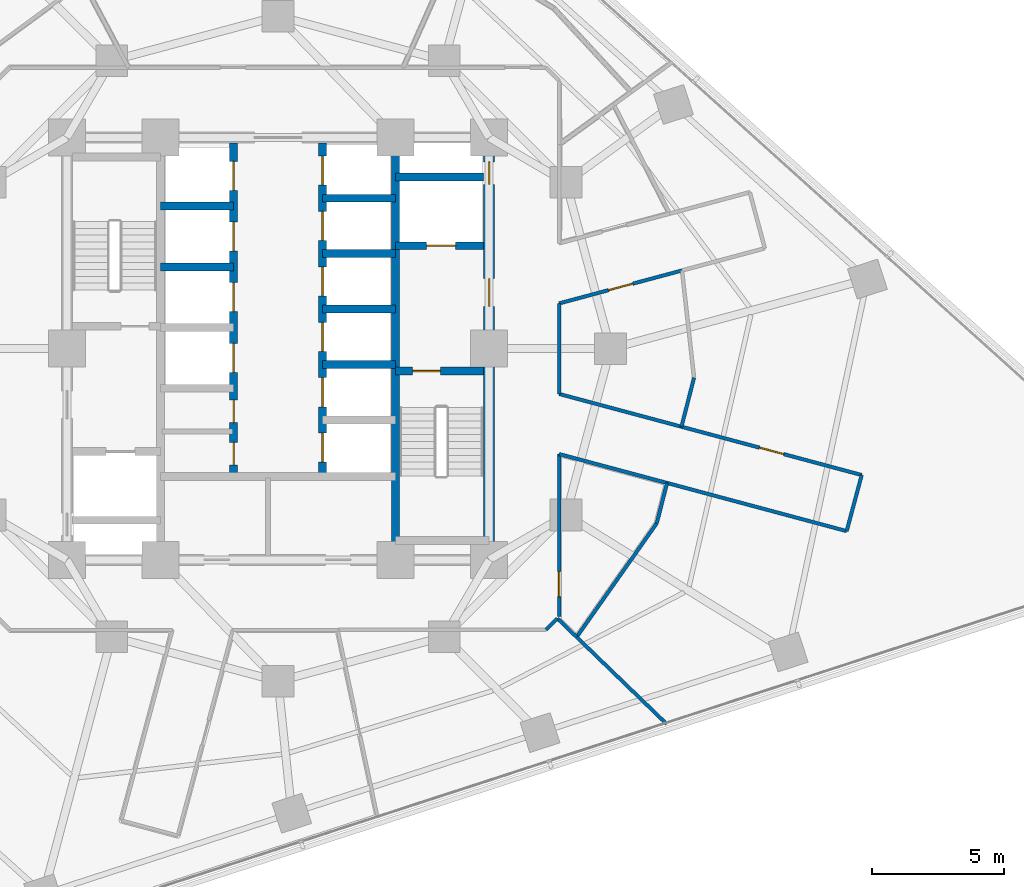
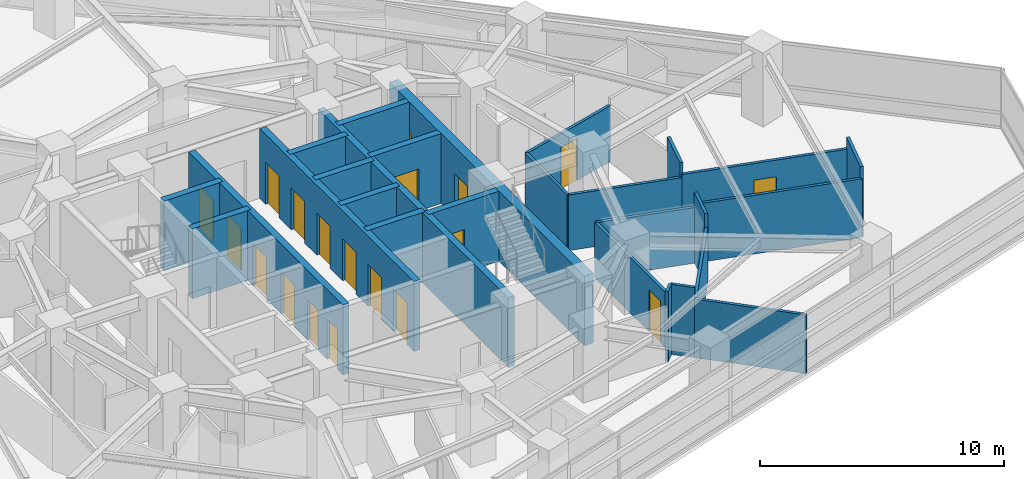
# One storey, part 8 of 13: 27 walls, 19 doors, 19 openings.
"""IFC4 building model written with IfcOpenShell, lengths in metres."""

from ifc_helpers import new_model, si_unit, direction, frame, frame_2d, origin, place, context, subcontext, project, spatial, rectangle, extrude, material, layer, layer_set, type_object, element, fill, save


model = new_model("IFC4")

# Units and contexts
model_context = context("Model", 3, precision=1e-05, world=origin(), true_north=direction((0.0, 1.0)))
body_context = subcontext(model_context, "Body", "Model", "MODEL_VIEW")
ifc_project = project(units=[si_unit("LENGTHUNIT", "METRE"), si_unit("AREAUNIT", "SQUARE_METRE"), si_unit("VOLUMEUNIT", "CUBIC_METRE"), si_unit("PLANEANGLEUNIT", "RADIAN"), si_unit("MASSUNIT", "GRAM", prefix="KILO")], contexts=[model_context])

# Site, building, storey
site_placement = place(None, origin())
site = spatial("IfcSite", under=ifc_project, at=site_placement, CompositionType="ELEMENT")
building_placement = place(site_placement, origin())
building = spatial("IfcBuilding", under=site, at=building_placement, Name="Terralouvre Media Tower", CompositionType="ELEMENT")
storey_placement = place(building_placement, frame((0.0, 0.0, 101.39990234375)))
storey = spatial("IfcBuildingStorey", under=building, at=storey_placement, Name="L25", CompositionType="ELEMENT", Elevation=101.39990234375)

# Wall
ifc_material_1 = material(Name="Concrete C50/60", Category="concrete")
ifc_layer_1 = layer(ifc_material_1, 0.300048828125, Name="Core Internal Shaft Wall CW-300")
ifc_layer_set_1 = layer_set([ifc_layer_1], Name="Concrete C50/60")
wall_type_1 = type_object("IfcWallType", Name="Core Internal Shaft Wall CW-300", PredefinedType="SHEAR", material=ifc_layer_set_1)
wall_1_placement = place(storey_placement, frame((4.449951171875, -7.7900390625, 0.0), z_axis=(0.0, 0.0, 1.0), x_axis=(0.0, 1.0, 0.0)))
element("IfcWall", 1, at=wall_1_placement, inside=storey, type_object=wall_type_1, Name="L25 Core Shaft Wall SPE", PredefinedType="SHEAR", context=body_context, shape_type="SweptSolid", body=[
    extrude(rectangle(XDim=15.580078125, YDim=0.300048828125, at=frame_2d((7.7900390625, 0.0))), origin(), (0.0, 0.0, 1.0), 3.5),
])

# Wall, opening, door
wall_2_placement = place(storey_placement, frame((4.449951171875, -0.85009765625, 0.0), z_axis=(0.0, 0.0, 1.0), x_axis=(1.0, 0.0, 0.0)))
wall_2 = element("IfcWall", 2, at=wall_2_placement, inside=storey, type_object=wall_type_1, Name="L25 Core Shaft Wall ST2D", PredefinedType="SHEAR", context=body_context, shape_type="SweptSolid", body=[
    extrude(rectangle(XDim=3.340087890625, YDim=0.300048828125, at=frame_2d((1.669921875, 0.0))), origin(), (0.0, 0.0, 1.0), 3.5),
])
opening_1_placement = place(wall_2_placement, frame((0.64990234375, 0.0, 0.0)))
opening_1 = element("IfcOpeningElement", 3, at=opening_1_placement, cuts=wall_2, Name="Opening FD-01-105X215", PredefinedType="OPENING", context=body_context, shape_type="SweptSolid", body=[
    extrude(rectangle(XDim=1.050048828125, YDim=2.14990234375, at=frame_2d((0.52490234375, 1.074951171875))), frame((0.0, 0.159912109375, 0.0), z_axis=(0.0, -1.0, 0.0), x_axis=(1.0, 0.0, 0.0)), (0.0, 0.0, 1.0), 0.320068359375),
])
ifc_material_2 = material(Name="Galvanised steel fire-resisting leaf", Category="steel")
door_type_1 = type_object("IfcDoorType", Name="Stair and Firefighting Lobby Fire Door FD-01 (1050x2150)", OperationType="NOTDEFINED", PredefinedType="DOOR", material=ifc_material_2)
door_1_placement = place(opening_1_placement, origin())
door_1 = element("IfcDoor", 4, at=door_1_placement, inside=storey, type_object=door_type_1, Name="L25 ST-02 Exit Stair Door", OperationType="SINGLE_SWING_RIGHT", OverallHeight=2.14990234375, OverallWidth=1.050048828125, PredefinedType="DOOR", context=body_context, shape_type="SweptSolid", body=[
    extrude(rectangle(XDim=1.050048828125, YDim=2.14990234375, at=frame_2d((0.52490234375, 1.074951171875))), frame((0.0, 0.02490234375, 0.0), z_axis=(0.0, -1.0, 0.0), x_axis=(1.0, 0.0, 0.0)), (0.0, 0.0, 1.0), 0.050048828125),
])
fill(opening_1, door_1)

wall_3_placement = place(storey_placement, frame((4.449951171875, 3.89990234375, 0.0), z_axis=(0.0, 0.0, 1.0), x_axis=(1.0, 0.0, 0.0)))
wall_3 = element("IfcWall", 5, at=wall_3_placement, inside=storey, type_object=wall_type_1, Name="L25 Core Shaft Wall FF2S", PredefinedType="SHEAR", context=body_context, shape_type="SweptSolid", body=[
    extrude(rectangle(XDim=3.340087890625, YDim=0.300048828125, at=frame_2d((1.669921875, 0.0))), origin(), (0.0, 0.0, 1.0), 3.5),
])
opening_2_placement = place(wall_3_placement, frame((1.179931640625, 0.0, 0.0)))
opening_2 = element("IfcOpeningElement", 6, at=opening_2_placement, cuts=wall_3, Name="Opening LD-FF", PredefinedType="OPENING", context=body_context, shape_type="SweptSolid", body=[
    extrude(rectangle(XDim=1.10009765625, YDim=2.10009765625, at=frame_2d((0.550048828125, 1.050048828125))), frame((0.0, 0.159912109375, 0.0), z_axis=(0.0, -1.0, 0.0), x_axis=(1.0, 0.0, 0.0)), (0.0, 0.0, 1.0), 0.320068359375),
])
ifc_material_3 = material(Name="Stainless steel 316 handrail and balustrade", Category="steel")
door_type_2 = type_object("IfcDoorType", Name="Firefighting Lift Sliding Landing Door LD-FF", OperationType="SLIDING_TO_LEFT", PredefinedType="DOOR", material=ifc_material_3)
door_2_placement = place(opening_2_placement, origin())
door_2 = element("IfcDoor", 7, at=door_2_placement, inside=storey, type_object=door_type_2, Name="L25 Firefighting Lift FFL-02 Landing Door", OperationType="SLIDING_TO_LEFT", OverallHeight=2.10009765625, OverallWidth=1.10009765625, PredefinedType="DOOR", context=body_context, shape_type="SweptSolid", body=[
    extrude(rectangle(XDim=1.10009765625, YDim=2.10009765625, at=frame_2d((0.550048828125, 1.050048828125))), frame((0.0, 0.02490234375, 0.0), z_axis=(0.0, -1.0, 0.0), x_axis=(1.0, 0.0, 0.0)), (0.0, 0.0, 1.0), 0.050048828125),
])
fill(opening_2, door_2)

# Wall
wall_4_placement = place(storey_placement, frame((4.449951171875, 6.5, 0.0), z_axis=(0.0, 0.0, 1.0), x_axis=(1.0, 0.0, 0.0)))
element("IfcWall", 8, at=wall_4_placement, inside=storey, type_object=wall_type_1, Name="L25 Core Shaft Wall FF2N", PredefinedType="SHEAR", context=body_context, shape_type="SweptSolid", body=[
    extrude(rectangle(XDim=3.340087890625, YDim=0.300048828125, at=frame_2d((1.669921875, 0.0))), origin(), (0.0, 0.0, 1.0), 3.5),
])

# Wall, openings, doors
wall_5_placement = place(storey_placement, frame((-1.679931640625, -4.85009765625, 0.0), z_axis=(0.0, 0.0, 1.0), x_axis=(0.0, 1.0, 0.0)))
wall_5 = element("IfcWall", 9, at=wall_5_placement, inside=storey, type_object=wall_type_1, Name="L25 Core Shaft Wall LBW", PredefinedType="SHEAR", context=body_context, shape_type="SweptSolid", body=[
    extrude(rectangle(XDim=12.64013671875, YDim=0.300048828125, at=frame_2d((6.320068359375, 0.0))), origin(), (0.0, 0.0, 1.0), 3.5),
])
opening_3_placement = place(wall_5_placement, frame((3.949951171875, 0.0, 0.0)))
opening_3 = element("IfcOpeningElement", 10, at=opening_3_placement, cuts=wall_5, Name="Opening LD-PL", PredefinedType="OPENING", context=body_context, shape_type="SweptSolid", body=[
    extrude(rectangle(XDim=1.10009765625, YDim=2.10009765625, at=frame_2d((0.550048828125, 1.050048828125))), frame((0.0, 0.159912109375, 0.0), z_axis=(0.0, -1.0, 0.0), x_axis=(1.0, 0.0, 0.0)), (0.0, 0.0, 1.0), 0.320068359375),
])
opening_4_placement = place(wall_5_placement, frame((6.25, 0.0, 0.0)))
opening_4 = element("IfcOpeningElement", 11, at=opening_4_placement, cuts=wall_5, Name="Opening LD-PL", PredefinedType="OPENING", context=body_context, shape_type="SweptSolid", body=[
    extrude(rectangle(XDim=1.10009765625, YDim=2.10009765625, at=frame_2d((0.550048828125, 1.050048828125))), frame((0.0, 0.159912109375, 0.0), z_axis=(0.0, -1.0, 0.0), x_axis=(1.0, 0.0, 0.0)), (0.0, 0.0, 1.0), 0.320068359375),
])
opening_5_placement = place(wall_5_placement, frame((8.550048828125, 0.0, 0.0)))
opening_5 = element("IfcOpeningElement", 12, at=opening_5_placement, cuts=wall_5, Name="Opening LD-PL", PredefinedType="OPENING", context=body_context, shape_type="SweptSolid", body=[
    extrude(rectangle(XDim=1.10009765625, YDim=2.10009765625, at=frame_2d((0.550048828125, 1.050048828125))), frame((0.0, 0.159912109375, 0.0), z_axis=(0.0, -1.0, 0.0), x_axis=(1.0, 0.0, 0.0)), (0.0, 0.0, 1.0), 0.320068359375),
])
opening_6_placement = place(wall_5_placement, frame((10.85009765625, 0.0, 0.0)))
opening_6 = element("IfcOpeningElement", 13, at=opening_6_placement, cuts=wall_5, Name="Opening LD-PL", PredefinedType="OPENING", context=body_context, shape_type="SweptSolid", body=[
    extrude(rectangle(XDim=1.10009765625, YDim=2.10009765625, at=frame_2d((0.550048828125, 1.050048828125))), frame((0.0, 0.159912109375, 0.0), z_axis=(0.0, -1.0, 0.0), x_axis=(1.0, 0.0, 0.0)), (0.0, 0.0, 1.0), 0.320068359375),
])
opening_7_placement = place(wall_5_placement, frame((0.449951171875, 0.0, 0.0)))
opening_7 = element("IfcOpeningElement", 14, at=opening_7_placement, cuts=wall_5, Name="Opening TD-R1", PredefinedType="OPENING", context=body_context, shape_type="SweptSolid", body=[
    extrude(rectangle(XDim=0.85009765625, YDim=2.02001953125, at=frame_2d((0.425048828125, 1.010009765625))), frame((0.0, 0.159912109375, 0.0), z_axis=(0.0, -1.0, 0.0), x_axis=(1.0, 0.0, 0.0)), (0.0, 0.0, 1.0), 0.320068359375),
])
opening_8_placement = place(wall_5_placement, frame((2.050048828125, 0.0, 0.0)))
opening_8 = element("IfcOpeningElement", 15, at=opening_8_placement, cuts=wall_5, Name="Opening TD-R1", PredefinedType="OPENING", context=body_context, shape_type="SweptSolid", body=[
    extrude(rectangle(XDim=0.85009765625, YDim=2.02001953125, at=frame_2d((0.425048828125, 1.010009765625))), frame((0.0, 0.159912109375, 0.0), z_axis=(0.0, -1.0, 0.0), x_axis=(1.0, 0.0, 0.0)), (0.0, 0.0, 1.0), 0.320068359375),
])
ifc_material_4 = material(Name="Stainless steel 316 handrail and balustrade", Category="steel")
door_type_3 = type_object("IfcDoorType", Name="Passenger Lift Sliding Landing Door LD-PL", OperationType="SLIDING_TO_LEFT", PredefinedType="DOOR", material=ifc_material_4)
door_3_placement = place(opening_3_placement, origin())
door_3 = element("IfcDoor", 16, at=door_3_placement, inside=storey, type_object=door_type_3, Name="L25 Low-Rise Lift PL-L1 Landing Door", OperationType="SLIDING_TO_LEFT", OverallHeight=2.10009765625, OverallWidth=1.10009765625, PredefinedType="DOOR", context=body_context, shape_type="SweptSolid", body=[
    extrude(rectangle(XDim=1.10009765625, YDim=2.10009765625, at=frame_2d((0.550048828125, 1.050048828125))), frame((0.0, 0.02490234375, 0.0), z_axis=(0.0, -1.0, 0.0), x_axis=(1.0, 0.0, 0.0)), (0.0, 0.0, 1.0), 0.050048828125),
])
fill(opening_3, door_3)
door_4_placement = place(opening_4_placement, origin())
door_4 = element("IfcDoor", 17, at=door_4_placement, inside=storey, type_object=door_type_3, Name="L25 Low-Rise Lift PL-L2 Landing Door", OperationType="SLIDING_TO_LEFT", OverallHeight=2.10009765625, OverallWidth=1.10009765625, PredefinedType="DOOR", context=body_context, shape_type="SweptSolid", body=[
    extrude(rectangle(XDim=1.10009765625, YDim=2.10009765625, at=frame_2d((0.550048828125, 1.050048828125))), frame((0.0, 0.02490234375, 0.0), z_axis=(0.0, -1.0, 0.0), x_axis=(1.0, 0.0, 0.0)), (0.0, 0.0, 1.0), 0.050048828125),
])
fill(opening_4, door_4)
door_5_placement = place(opening_5_placement, origin())
door_5 = element("IfcDoor", 18, at=door_5_placement, inside=storey, type_object=door_type_3, Name="L25 Low-Rise Lift PL-L3 Landing Door", OperationType="SLIDING_TO_LEFT", OverallHeight=2.10009765625, OverallWidth=1.10009765625, PredefinedType="DOOR", context=body_context, shape_type="SweptSolid", body=[
    extrude(rectangle(XDim=1.10009765625, YDim=2.10009765625, at=frame_2d((0.550048828125, 1.050048828125))), frame((0.0, 0.02490234375, 0.0), z_axis=(0.0, -1.0, 0.0), x_axis=(1.0, 0.0, 0.0)), (0.0, 0.0, 1.0), 0.050048828125),
])
fill(opening_5, door_5)
door_6_placement = place(opening_6_placement, origin())
door_6 = element("IfcDoor", 19, at=door_6_placement, inside=storey, type_object=door_type_3, Name="L25 Low-Rise Lift PL-L4 Landing Door", OperationType="SLIDING_TO_LEFT", OverallHeight=2.10009765625, OverallWidth=1.10009765625, PredefinedType="DOOR", context=body_context, shape_type="SweptSolid", body=[
    extrude(rectangle(XDim=1.10009765625, YDim=2.10009765625, at=frame_2d((0.550048828125, 1.050048828125))), frame((0.0, 0.02490234375, 0.0), z_axis=(0.0, -1.0, 0.0), x_axis=(1.0, 0.0, 0.0)), (0.0, 0.0, 1.0), 0.050048828125),
])
fill(opening_6, door_6)
ifc_material_5 = material(Name="Galvanised steel fire-resisting leaf", Category="steel")
door_type_4 = type_object("IfcDoorType", Name="Riser Inspection Access Trapdoor TD-R1", OperationType="NOTDEFINED", PredefinedType="TRAPDOOR", material=ifc_material_5)
door_7_placement = place(opening_7_placement, origin())
door_7 = element("IfcDoor", 20, at=door_7_placement, inside=storey, type_object=door_type_4, Name="L25 Core Cleaners Closet Door", OperationType="SINGLE_SWING_LEFT", OverallHeight=2.02001953125, OverallWidth=0.85009765625, PredefinedType="TRAPDOOR", context=body_context, shape_type="SweptSolid", body=[
    extrude(rectangle(XDim=0.85009765625, YDim=2.02001953125, at=frame_2d((0.425048828125, 1.010009765625))), frame((0.0, 0.02490234375, 0.0), z_axis=(0.0, -1.0, 0.0), x_axis=(1.0, 0.0, 0.0)), (0.0, 0.0, 1.0), 0.050048828125),
])
fill(opening_7, door_7)
door_8_placement = place(opening_8_placement, origin())
door_8 = element("IfcDoor", 21, at=door_8_placement, inside=storey, type_object=door_type_4, Name="L25 Core Metering Closet Door", OperationType="SINGLE_SWING_RIGHT", OverallHeight=2.02001953125, OverallWidth=0.85009765625, PredefinedType="TRAPDOOR", context=body_context, shape_type="SweptSolid", body=[
    extrude(rectangle(XDim=0.85009765625, YDim=2.02001953125, at=frame_2d((0.425048828125, 1.010009765625))), frame((0.0, 0.02490234375, 0.0), z_axis=(0.0, -1.0, 0.0), x_axis=(1.0, 0.0, 0.0)), (0.0, 0.0, 1.0), 0.050048828125),
])
fill(opening_8, door_8)

wall_6_placement = place(storey_placement, frame((1.679931640625, -4.85009765625, 0.0), z_axis=(0.0, 0.0, 1.0), x_axis=(0.0, 1.0, 0.0)))
wall_6 = element("IfcWall", 22, at=wall_6_placement, inside=storey, type_object=wall_type_1, Name="L25 Core Shaft Wall LBE", PredefinedType="SHEAR", context=body_context, shape_type="SweptSolid", body=[
    extrude(rectangle(XDim=12.64013671875, YDim=0.300048828125, at=frame_2d((6.320068359375, 0.0))), origin(), (0.0, 0.0, 1.0), 3.5),
])
opening_9_placement = place(wall_6_placement, frame((0.550048828125, 0.0, 0.0)))
opening_9 = element("IfcOpeningElement", 23, at=opening_9_placement, cuts=wall_6, Name="Opening LD-PL", PredefinedType="OPENING", context=body_context, shape_type="SweptSolid", body=[
    extrude(rectangle(XDim=1.10009765625, YDim=2.10009765625, at=frame_2d((0.550048828125, 1.050048828125))), frame((0.0, 0.159912109375, 0.0), z_axis=(0.0, -1.0, 0.0), x_axis=(1.0, 0.0, 0.0)), (0.0, 0.0, 1.0), 0.320068359375),
])
opening_10_placement = place(wall_6_placement, frame((2.64990234375, 0.0, 0.0)))
opening_10 = element("IfcOpeningElement", 24, at=opening_10_placement, cuts=wall_6, Name="Opening LD-PL", PredefinedType="OPENING", context=body_context, shape_type="SweptSolid", body=[
    extrude(rectangle(XDim=1.10009765625, YDim=2.10009765625, at=frame_2d((0.550048828125, 1.050048828125))), frame((0.0, 0.159912109375, 0.0), z_axis=(0.0, -1.0, 0.0), x_axis=(1.0, 0.0, 0.0)), (0.0, 0.0, 1.0), 0.320068359375),
])
opening_11_placement = place(wall_6_placement, frame((4.75, 0.0, 0.0)))
opening_11 = element("IfcOpeningElement", 25, at=opening_11_placement, cuts=wall_6, Name="Opening LD-PL", PredefinedType="OPENING", context=body_context, shape_type="SweptSolid", body=[
    extrude(rectangle(XDim=1.10009765625, YDim=2.10009765625, at=frame_2d((0.550048828125, 1.050048828125))), frame((0.0, 0.159912109375, 0.0), z_axis=(0.0, -1.0, 0.0), x_axis=(1.0, 0.0, 0.0)), (0.0, 0.0, 1.0), 0.320068359375),
])
opening_12_placement = place(wall_6_placement, frame((6.85009765625, 0.0, 0.0)))
opening_12 = element("IfcOpeningElement", 26, at=opening_12_placement, cuts=wall_6, Name="Opening LD-PL", PredefinedType="OPENING", context=body_context, shape_type="SweptSolid", body=[
    extrude(rectangle(XDim=1.10009765625, YDim=2.10009765625, at=frame_2d((0.550048828125, 1.050048828125))), frame((0.0, 0.159912109375, 0.0), z_axis=(0.0, -1.0, 0.0), x_axis=(1.0, 0.0, 0.0)), (0.0, 0.0, 1.0), 0.320068359375),
])
opening_13_placement = place(wall_6_placement, frame((8.949951171875, 0.0, 0.0)))
opening_13 = element("IfcOpeningElement", 27, at=opening_13_placement, cuts=wall_6, Name="Opening LD-PL", PredefinedType="OPENING", context=body_context, shape_type="SweptSolid", body=[
    extrude(rectangle(XDim=1.10009765625, YDim=2.10009765625, at=frame_2d((0.550048828125, 1.050048828125))), frame((0.0, 0.159912109375, 0.0), z_axis=(0.0, -1.0, 0.0), x_axis=(1.0, 0.0, 0.0)), (0.0, 0.0, 1.0), 0.320068359375),
])
opening_14_placement = place(wall_6_placement, frame((11.050048828125, 0.0, 0.0)))
opening_14 = element("IfcOpeningElement", 28, at=opening_14_placement, cuts=wall_6, Name="Opening LD-PL", PredefinedType="OPENING", context=body_context, shape_type="SweptSolid", body=[
    extrude(rectangle(XDim=1.10009765625, YDim=2.10009765625, at=frame_2d((0.550048828125, 1.050048828125))), frame((0.0, 0.159912109375, 0.0), z_axis=(0.0, -1.0, 0.0), x_axis=(1.0, 0.0, 0.0)), (0.0, 0.0, 1.0), 0.320068359375),
])
door_9_placement = place(opening_9_placement, origin())
door_9 = element("IfcDoor", 29, at=door_9_placement, inside=storey, type_object=door_type_3, Name="L25 High-Rise Lift PL-H1 Landing Door", OperationType="SLIDING_TO_LEFT", OverallHeight=2.10009765625, OverallWidth=1.10009765625, PredefinedType="DOOR", context=body_context, shape_type="SweptSolid", body=[
    extrude(rectangle(XDim=1.10009765625, YDim=2.10009765625, at=frame_2d((0.550048828125, 1.050048828125))), frame((0.0, 0.02490234375, 0.0), z_axis=(0.0, -1.0, 0.0), x_axis=(1.0, 0.0, 0.0)), (0.0, 0.0, 1.0), 0.050048828125),
])
fill(opening_9, door_9)
door_10_placement = place(opening_10_placement, origin())
door_10 = element("IfcDoor", 30, at=door_10_placement, inside=storey, type_object=door_type_3, Name="L25 High-Rise Lift PL-H2 Landing Door", OperationType="SLIDING_TO_LEFT", OverallHeight=2.10009765625, OverallWidth=1.10009765625, PredefinedType="DOOR", context=body_context, shape_type="SweptSolid", body=[
    extrude(rectangle(XDim=1.10009765625, YDim=2.10009765625, at=frame_2d((0.550048828125, 1.050048828125))), frame((0.0, 0.02490234375, 0.0), z_axis=(0.0, -1.0, 0.0), x_axis=(1.0, 0.0, 0.0)), (0.0, 0.0, 1.0), 0.050048828125),
])
fill(opening_10, door_10)
door_11_placement = place(opening_11_placement, origin())
door_11 = element("IfcDoor", 31, at=door_11_placement, inside=storey, type_object=door_type_3, Name="L25 High-Rise Lift PL-H3 Landing Door", OperationType="SLIDING_TO_LEFT", OverallHeight=2.10009765625, OverallWidth=1.10009765625, PredefinedType="DOOR", context=body_context, shape_type="SweptSolid", body=[
    extrude(rectangle(XDim=1.10009765625, YDim=2.10009765625, at=frame_2d((0.550048828125, 1.050048828125))), frame((0.0, 0.02490234375, 0.0), z_axis=(0.0, -1.0, 0.0), x_axis=(1.0, 0.0, 0.0)), (0.0, 0.0, 1.0), 0.050048828125),
])
fill(opening_11, door_11)
door_12_placement = place(opening_12_placement, origin())
door_12 = element("IfcDoor", 32, at=door_12_placement, inside=storey, type_object=door_type_3, Name="L25 Mid-Rise Lift PL-M1 Landing Door", OperationType="SLIDING_TO_LEFT", OverallHeight=2.10009765625, OverallWidth=1.10009765625, PredefinedType="DOOR", context=body_context, shape_type="SweptSolid", body=[
    extrude(rectangle(XDim=1.10009765625, YDim=2.10009765625, at=frame_2d((0.550048828125, 1.050048828125))), frame((0.0, 0.02490234375, 0.0), z_axis=(0.0, -1.0, 0.0), x_axis=(1.0, 0.0, 0.0)), (0.0, 0.0, 1.0), 0.050048828125),
])
fill(opening_12, door_12)
door_13_placement = place(opening_13_placement, origin())
door_13 = element("IfcDoor", 33, at=door_13_placement, inside=storey, type_object=door_type_3, Name="L25 Mid-Rise Lift PL-M2 Landing Door", OperationType="SLIDING_TO_LEFT", OverallHeight=2.10009765625, OverallWidth=1.10009765625, PredefinedType="DOOR", context=body_context, shape_type="SweptSolid", body=[
    extrude(rectangle(XDim=1.10009765625, YDim=2.10009765625, at=frame_2d((0.550048828125, 1.050048828125))), frame((0.0, 0.02490234375, 0.0), z_axis=(0.0, -1.0, 0.0), x_axis=(1.0, 0.0, 0.0)), (0.0, 0.0, 1.0), 0.050048828125),
])
fill(opening_13, door_13)
door_14_placement = place(opening_14_placement, origin())
door_14 = element("IfcDoor", 34, at=door_14_placement, inside=storey, type_object=door_type_3, Name="L25 Mid-Rise Lift PL-M3 Landing Door", OperationType="SLIDING_TO_LEFT", OverallHeight=2.10009765625, OverallWidth=1.10009765625, PredefinedType="DOOR", context=body_context, shape_type="SweptSolid", body=[
    extrude(rectangle(XDim=1.10009765625, YDim=2.10009765625, at=frame_2d((0.550048828125, 1.050048828125))), frame((0.0, 0.02490234375, 0.0), z_axis=(0.0, -1.0, 0.0), x_axis=(1.0, 0.0, 0.0)), (0.0, 0.0, 1.0), 0.050048828125),
])
fill(opening_14, door_14)

# Walls
for number, where, z_axis, x_axis, name in (
    (35, (-4.449951171875, 3.10009765625, 0.0), (0.0, 0.0, 1.0), (1.0, 0.0, 0.0), "L25 Core Shaft Wall PLLD2"),
    (36, (-4.449951171875, 5.39990234375, 0.0), (0.0, 0.0, 1.0), (1.0, 0.0, 0.0), "L25 Core Shaft Wall PLLD3"),
    (37, (1.679931640625, 1.5, 0.0), (0.0, 0.0, 1.0), (1.0, 0.0, 0.0), "L25 Core Shaft Wall PLMD0"),
    (38, (1.679931640625, 3.60009765625, 0.0), (0.0, 0.0, 1.0), (1.0, 0.0, 0.0), "L25 Core Shaft Wall PLMD1"),
    (39, (1.679931640625, 5.699951171875, 0.0), (0.0, 0.0, 1.0), (1.0, 0.0, 0.0), "L25 Core Shaft Wall PLMD2"),
    (40, (1.679931640625, -0.60009765625, 0.0), (0.0, 0.0, 1.0), (1.0, 0.0, 0.0), "L25 Core Shaft Wall PLHD2"),
):
    element("IfcWall", number, at=place(storey_placement, frame(where, z_axis=z_axis, x_axis=x_axis)), inside=storey, type_object=wall_type_1, Name=name, PredefinedType="SHEAR", context=body_context, shape_type="SweptSolid", body=[
        extrude(rectangle(XDim=2.77001953125, YDim=0.300048828125, at=frame_2d((1.385009765625, 0.0))), origin(), (0.0, 0.0, 1.0), 3.5),
    ])

# Wall, openings, doors
ifc_material_6 = material(Name="Concrete C60/75", Category="concrete")
ifc_layer_2 = layer(ifc_material_6, 0.419921875, Name="Core Reinforced Concrete Shear Wall CW-420")
ifc_layer_set_2 = layer_set([ifc_layer_2], Name="Concrete C60/75")
wall_type_2 = type_object("IfcWallType", Name="Core Reinforced Concrete Shear Wall CW-420", PredefinedType="SHEAR", material=ifc_layer_set_2)
wall_7_placement = place(storey_placement, frame((8.0, -8.0, 0.0), z_axis=(0.0, 0.0, 1.0), x_axis=(0.0, 1.0, 0.0)))
wall_7 = element("IfcWall", 41, at=wall_7_placement, inside=storey, type_object=wall_type_2, Name="L25 E Core Shear Wall", PredefinedType="SHEAR", context=body_context, shape_type="SweptSolid", body=[
    extrude(rectangle(XDim=16.0, YDim=0.419921875, at=frame_2d((8.0, 0.0))), origin(), (0.0, 0.0, 1.0), 3.5),
])
opening_15_placement = place(wall_7_placement, frame((9.60009765625, 0.0, 0.0)))
opening_15 = element("IfcOpeningElement", 42, at=opening_15_placement, cuts=wall_7, Name="Opening FD-01-105X215", PredefinedType="OPENING", context=body_context, shape_type="SweptSolid", body=[
    extrude(rectangle(XDim=1.050048828125, YDim=2.14990234375, at=frame_2d((0.52490234375, 1.074951171875))), frame((0.0, 0.219970703125, 0.0), z_axis=(0.0, -1.0, 0.0), x_axis=(1.0, 0.0, 0.0)), (0.0, 0.0, 1.0), 0.43994140625),
])
opening_16_placement = place(wall_7_placement, frame((14.228515625, 0.0, 0.0)))
opening_16 = element("IfcOpeningElement", 43, at=opening_16_placement, cuts=wall_7, Name="Opening TD-R1", PredefinedType="OPENING", context=body_context, shape_type="SweptSolid", body=[
    extrude(rectangle(XDim=0.85009765625, YDim=2.02001953125, at=frame_2d((0.425048828125, 1.010009765625))), frame((0.0, 0.219970703125, 0.0), z_axis=(0.0, -1.0, 0.0), x_axis=(1.0, 0.0, 0.0)), (0.0, 0.0, 1.0), 0.43994140625),
])
door_15_placement = place(opening_16_placement, origin())
door_15 = element("IfcDoor", 44, at=door_15_placement, inside=storey, type_object=door_type_4, Name="L25 East Comms Riser Access Trapdoor", OperationType="SINGLE_SWING_RIGHT", OverallHeight=2.02001953125, OverallWidth=0.85009765625, PredefinedType="TRAPDOOR", context=body_context, shape_type="SweptSolid", body=[
    extrude(rectangle(XDim=0.85009765625, YDim=2.02001953125, at=frame_2d((0.425048828125, 1.010009765625))), frame((0.0, 0.02490234375, 0.0), z_axis=(0.0, -1.0, 0.0), x_axis=(1.0, 0.0, 0.0)), (0.0, 0.0, 1.0), 0.050048828125),
])
fill(opening_16, door_15)
door_16_placement = place(opening_15_placement, origin())
door_16 = element("IfcDoor", 45, at=door_16_placement, inside=storey, type_object=door_type_1, Name="L25 East Firefighting Lobby Entry Door", OperationType="SINGLE_SWING_LEFT", OverallHeight=2.14990234375, OverallWidth=1.050048828125, PredefinedType="DOOR", context=body_context, shape_type="SweptSolid", body=[
    extrude(rectangle(XDim=1.050048828125, YDim=2.14990234375, at=frame_2d((0.52490234375, 1.074951171875))), frame((0.0, 0.02490234375, 0.0), z_axis=(0.0, -1.0, 0.0), x_axis=(1.0, 0.0, 0.0)), (0.0, 0.0, 1.0), 0.050048828125),
])
fill(opening_15, door_16)

# Walls
ifc_material_7 = material(Name="Fire-rated gypsum board drywall partition")
ifc_layer_3 = layer(ifc_material_7, 0.135009765625, Name="Newsroom Acoustic Partition PT-135")
ifc_layer_set_3 = layer_set([ifc_layer_3], Name="Fire-rated gypsum board drywall partition")
wall_type_3 = type_object("IfcWallType", Name="Newsroom Acoustic Partition PT-135", PredefinedType="PARTITIONING", material=ifc_layer_set_3)
wall_8_placement = place(storey_placement, frame((14.739990234375, -5.087890625, 0.0), z_axis=(0.0, 0.0, 1.0), x_axis=(0.965895912523, -0.258930659002, 0.0)))
element("IfcWall", 46, at=wall_8_placement, inside=storey, type_object=wall_type_3, Name="L25 Interior Partition 008", PredefinedType="PARTITIONING", context=body_context, shape_type="SweptSolid", body=[
    extrude(rectangle(XDim=7.045166015625, YDim=0.135009765625, at=frame_2d((3.5224609375, 0.0))), origin(), (0.0, 0.0, 1.0), 2.93505859375),
])
wall_9_placement = place(storey_placement, frame((21.544921875, -6.912109375, 0.0), z_axis=(0.0, 0.0, 1.0), x_axis=(0.259105843213, 0.965848933329, 0.0)))
element("IfcWall", 47, at=wall_9_placement, inside=storey, type_object=wall_type_3, Name="L25 Interior Partition 009", PredefinedType="PARTITIONING", context=body_context, shape_type="SweptSolid", body=[
    extrude(rectangle(XDim=2.2001953125, YDim=0.135009765625, at=frame_2d((1.10009765625, 0.0))), origin(), (0.0, 0.0, 1.0), 3.5),
])

# Wall, opening, door
wall_10_placement = place(storey_placement, frame((22.114990234375, -4.787109375, 0.0), z_axis=(0.0, 0.0, 1.0), x_axis=(-0.965917838763, 0.258848853116, 0.0)))
wall_10 = element("IfcWall", 48, at=wall_10_placement, inside=storey, type_object=wall_type_3, Name="L25 Interior Partition 010", PredefinedType="PARTITIONING", context=body_context, shape_type="SweptSolid", body=[
    extrude(rectangle(XDim=7.070068359375, YDim=0.135009765625, at=frame_2d((3.53515625, 0.0))), origin(), (0.0, 0.0, 1.0), 2.93505859375),
])
opening_17_placement = place(wall_10_placement, frame((3.06005859375, 0.0, 0.0)))
opening_17 = element("IfcOpeningElement", 49, at=opening_17_placement, cuts=wall_10, Name="Opening ID-02-95X210", PredefinedType="OPENING", context=body_context, shape_type="SweptSolid", body=[
    extrude(rectangle(XDim=0.949951171875, YDim=2.10009765625, at=frame_2d((0.47509765625, 1.050048828125))), frame((0.0, 0.077392578125, 0.0), z_axis=(0.0, -1.0, 0.0), x_axis=(1.0, 0.0, 0.0)), (0.0, 0.0, 1.0), 0.155029296875),
])
ifc_material_8 = material(Name="Engineered hardwood acoustic timber leaf", Category="wood")
door_type_5 = type_object("IfcDoorType", Name="Office and Meeting Room Door ID-02 (950x2100)", OperationType="NOTDEFINED", PredefinedType="DOOR", material=ifc_material_8)
door_17_placement = place(opening_17_placement, origin())
door_17 = element("IfcDoor", 50, at=door_17_placement, inside=storey, type_object=door_type_5, Name="L25 Wellness Supply Store 2 Door", OperationType="SINGLE_SWING_LEFT", OverallHeight=2.10009765625, OverallWidth=0.949951171875, PredefinedType="DOOR", context=body_context, shape_type="SweptSolid", body=[
    extrude(rectangle(XDim=0.949951171875, YDim=2.10009765625, at=frame_2d((0.47509765625, 1.050048828125))), frame((0.0, 0.02490234375, 0.0), z_axis=(0.0, -1.0, 0.0), x_axis=(1.0, 0.0, 0.0)), (0.0, 0.0, 1.0), 0.050048828125),
])
fill(opening_17, door_17)

wall_11_placement = place(storey_placement, frame((10.64990234375, -10.14990234375, 0.0), z_axis=(0.0, 0.0, 1.0), x_axis=(0.0, 1.0, 0.0)))
wall_11 = element("IfcWall", 51, at=wall_11_placement, inside=storey, type_object=wall_type_3, Name="L25 Interior Partition 014", PredefinedType="PARTITIONING", context=body_context, shape_type="SweptSolid", body=[
    extrude(rectangle(XDim=6.157958984375, YDim=0.135009765625, at=frame_2d((3.0791015625, 0.0))), origin(), (0.0, 0.0, 1.0), 2.78515625),
])
opening_18_placement = place(wall_11_placement, frame((0.756591796875, 0.0, 0.0)))
opening_18 = element("IfcOpeningElement", 52, at=opening_18_placement, cuts=wall_11, Name="Opening ID-02-95X210", PredefinedType="OPENING", context=body_context, shape_type="SweptSolid", body=[
    extrude(rectangle(XDim=0.949951171875, YDim=2.10009765625, at=frame_2d((0.47509765625, 1.050048828125))), frame((0.0, 0.077392578125, 0.0), z_axis=(0.0, -1.0, 0.0), x_axis=(1.0, 0.0, 0.0)), (0.0, 0.0, 1.0), 0.155029296875),
])
door_18_placement = place(opening_18_placement, origin())
door_18 = element("IfcDoor", 53, at=door_18_placement, inside=storey, type_object=door_type_5, Name="L25 Club Reading Library 3 Door", OperationType="SINGLE_SWING_RIGHT", OverallHeight=2.10009765625, OverallWidth=0.949951171875, PredefinedType="DOOR", context=body_context, shape_type="SweptSolid", body=[
    extrude(rectangle(XDim=0.949951171875, YDim=2.10009765625, at=frame_2d((0.47509765625, 1.050048828125))), frame((0.0, 0.02490234375, 0.0), z_axis=(0.0, -1.0, 0.0), x_axis=(1.0, 0.0, 0.0)), (0.0, 0.0, 1.0), 0.050048828125),
])
fill(opening_18, door_18)

# Walls
wall_12_placement = place(storey_placement, frame((10.64990234375, -3.991943359375, 0.0), z_axis=(0.0, 0.0, 1.0), x_axis=(0.965925146235, -0.258821583086, 0.0)))
element("IfcWall", 54, at=wall_12_placement, inside=storey, type_object=wall_type_3, Name="L25 Interior Partition 015", PredefinedType="PARTITIONING", context=body_context, shape_type="SweptSolid", body=[
    extrude(rectangle(XDim=4.234375, YDim=0.135009765625, at=frame_2d((2.1171875, 0.0))), origin(), (0.0, 0.0, 1.0), 2.78515625),
])
wall_13_placement = place(storey_placement, frame((15.285888671875, -2.95703125, 0.0), z_axis=(0.0, 0.0, 1.0), x_axis=(-0.965939651128, 0.258767444588, 0.0)))
element("IfcWall", 55, at=wall_13_placement, inside=storey, type_object=wall_type_3, Name="L25 Interior Partition 016", PredefinedType="PARTITIONING", context=body_context, shape_type="SweptSolid", body=[
    extrude(rectangle(XDim=4.799560546875, YDim=0.135009765625, at=frame_2d((2.39990234375, 0.0))), origin(), (0.0, 0.0, 1.0), 2.78515625),
])
wall_14_placement = place(storey_placement, frame((10.64990234375, -1.715087890625, 0.0), z_axis=(0.0, 0.0, 1.0), x_axis=(0.0, 1.0, 0.0)))
element("IfcWall", 56, at=wall_14_placement, inside=storey, type_object=wall_type_3, Name="L25 Interior Partition 017", PredefinedType="PARTITIONING", context=body_context, shape_type="SweptSolid", body=[
    extrude(rectangle(XDim=3.43017578125, YDim=0.135009765625, at=frame_2d((1.715087890625, 0.0))), origin(), (0.0, 0.0, 1.0), 2.78515625),
])

# Wall, opening, door
wall_15_placement = place(storey_placement, frame((10.64990234375, 1.715087890625, 0.0), z_axis=(0.0, 0.0, 1.0), x_axis=(0.965927482723, 0.258812863129, 0.0)))
wall_15 = element("IfcWall", 57, at=wall_15_placement, inside=storey, type_object=wall_type_3, Name="L25 Interior Partition 018", PredefinedType="PARTITIONING", context=body_context, shape_type="SweptSolid", body=[
    extrude(rectangle(XDim=4.8212890625, YDim=0.135009765625, at=frame_2d((2.41064453125, 0.0))), origin(), (0.0, 0.0, 1.0), 2.78515625),
])
opening_19_placement = place(wall_15_placement, frame((1.935791015625, 0.0, 0.0)))
opening_19 = element("IfcOpeningElement", 58, at=opening_19_placement, cuts=wall_15, Name="Opening ID-02-95X210", PredefinedType="OPENING", context=body_context, shape_type="SweptSolid", body=[
    extrude(rectangle(XDim=0.949951171875, YDim=2.10009765625, at=frame_2d((0.47509765625, 1.050048828125))), frame((0.0, 0.077392578125, 0.0), z_axis=(0.0, -1.0, 0.0), x_axis=(1.0, 0.0, 0.0)), (0.0, 0.0, 1.0), 0.155029296875),
])
door_19_placement = place(opening_19_placement, origin())
door_19 = element("IfcDoor", 59, at=door_19_placement, inside=storey, type_object=door_type_5, Name="L25 Editorial Collaborative Open Office 4 Door", OperationType="SINGLE_SWING_LEFT", OverallHeight=2.10009765625, OverallWidth=0.949951171875, PredefinedType="DOOR", context=body_context, shape_type="SweptSolid", body=[
    extrude(rectangle(XDim=0.949951171875, YDim=2.10009765625, at=frame_2d((0.47509765625, 1.050048828125))), frame((0.0, 0.02490234375, 0.0), z_axis=(0.0, -1.0, 0.0), x_axis=(1.0, 0.0, 0.0)), (0.0, 0.0, 1.0), 0.050048828125),
])
fill(opening_19, door_19)

# Walls
wall_16_placement = place(storey_placement, frame((10.14990234375, -10.64990234375, 0.0), z_axis=(0.0, 0.0, 1.0), x_axis=(0.70730655707, 0.706906948845, 0.0)))
element("IfcWall", 60, at=wall_16_placement, inside=storey, type_object=wall_type_3, Name="L25 Interior Partition 026", PredefinedType="PARTITIONING", context=body_context, shape_type="SweptSolid", body=[
    extrude(rectangle(XDim=0.61083984375, YDim=0.135009765625, at=frame_2d((0.305419921875, 0.0))), origin(), (0.0, 0.0, 1.0), 3.5),
])
wall_17_placement = place(storey_placement, frame((14.739990234375, -5.087890625, 0.0), z_axis=(0.0, 0.0, 1.0), x_axis=(-0.247961711117, -0.968769833252, 0.0)))
element("IfcWall", 61, at=wall_17_placement, inside=storey, type_object=wall_type_3, Name="L25 Interior Partition 038", PredefinedType="PARTITIONING", context=body_context, shape_type="SweptSolid", body=[
    extrude(rectangle(XDim=1.576416015625, YDim=0.135009765625, at=frame_2d((0.7880859375, 0.0))), origin(), (0.0, 0.0, 1.0), 3.5),
])
wall_18_placement = place(storey_placement, frame((14.34912109375, -6.614990234375, 0.0), z_axis=(0.0, 0.0, 1.0), x_axis=(-0.575468172254, -0.817824175922, 0.0)))
element("IfcWall", 62, at=wall_18_placement, inside=storey, type_object=wall_type_3, Name="L25 Interior Partition 039", PredefinedType="PARTITIONING", context=body_context, shape_type="SweptSolid", body=[
    extrude(rectangle(XDim=5.2724609375, YDim=0.135009765625, at=frame_2d((2.63623046875, 0.0))), origin(), (0.0, 0.0, 1.0), 2.78515625),
])
wall_19_placement = place(storey_placement, frame((15.761962890625, -1.10205078125, 0.0), z_axis=(0.0, 0.0, 1.0), x_axis=(-0.248590042538, -0.968608791386, 0.0)))
element("IfcWall", 63, at=wall_19_placement, inside=storey, type_object=wall_type_3, Name="L25 Interior Partition 041", PredefinedType="PARTITIONING", context=body_context, shape_type="SweptSolid", body=[
    extrude(rectangle(XDim=1.9150390625, YDim=0.135009765625, at=frame_2d((0.95751953125, 0.0))), origin(), (0.0, 0.0, 1.0), 3.5),
])
wall_20_placement = place(storey_placement, frame((11.31494140625, -10.927001953125, 0.0), z_axis=(0.0, 0.0, 1.0), x_axis=(0.719365057957, -0.694632214478, 0.0)))
element("IfcWall", 64, at=wall_20_placement, inside=storey, type_object=wall_type_3, Name="L25 Interior Partition 043", PredefinedType="PARTITIONING", context=body_context, shape_type="SweptSolid", body=[
    extrude(rectangle(XDim=4.738037109375, YDim=0.135009765625, at=frame_2d((2.369140625, 0.0))), origin(), (0.0, 0.0, 1.0), 2.93505859375),
])
wall_21_placement = place(storey_placement, frame((10.58203125, -10.218017578125, 0.0), z_axis=(0.0, 0.0, 1.0), x_axis=(0.718741071219, -0.695277838381, 0.0)))
element("IfcWall", 65, at=wall_21_placement, inside=storey, type_object=wall_type_3, Name="L25 Interior Partition 046", PredefinedType="PARTITIONING", context=body_context, shape_type="SweptSolid", body=[
    extrude(rectangle(XDim=1.019775390625, YDim=0.135009765625, at=frame_2d((0.509765625, 0.0))), origin(), (0.0, 0.0, 1.0), 3.5),
])

save(model, "model.ifc")
